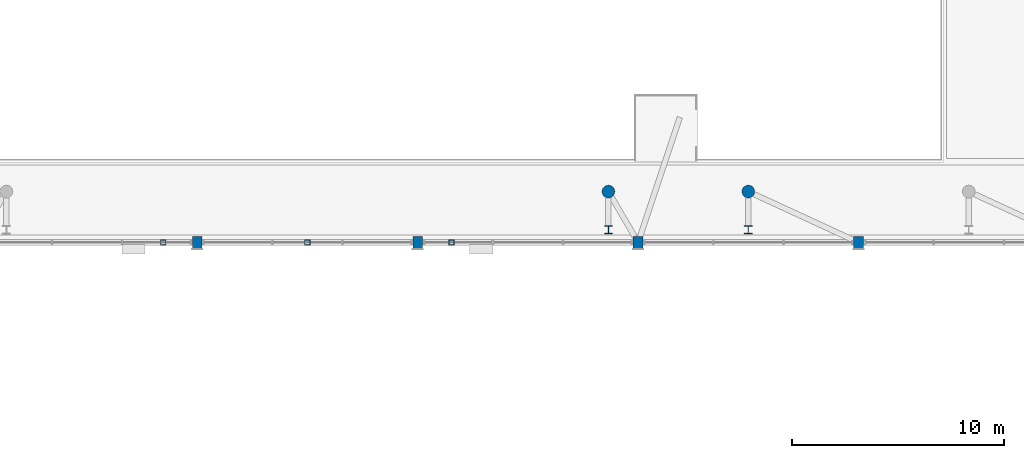
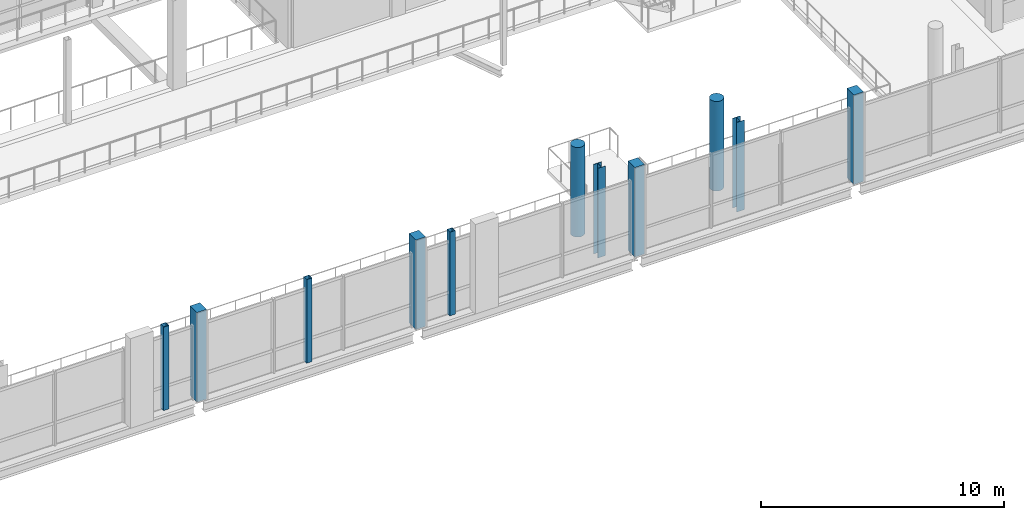
# One storey, part 9 of 95: 11 columns.
"""IFC4 building model written with IfcOpenShell, lengths in metres."""

import ifcopenshell
import ifcopenshell.guid

model = None  # the IFC model being written
_history = None  # IfcOwnerHistory: only IFC2X3 demands one
_inside = {}  # id of a spatial element -> (the spatial element, [elements in it])
_under = {}  # id of a project, library or spatial element -> (it, [spatial elements below it])
_declared = {}  # id of a project -> (the project, [libraries it declares])
_typed = {}  # id of a type object -> (the type object, [elements of that type])
_made_of = {}  # id of a material, layer set ... -> (it, [elements and type objects made of it])


def new_model(schema):
    """Start an empty IFC model of exactly this schema.

    Asked for "IFC4X3", IfcOpenShell would pick the latest addendum, in which some entities
    have other attributes; the version numbers below select the first issue.
    IFC2X3 requires an IfcOwnerHistory on every rooted entity: one is made here for all.
    """
    global model, _history
    if schema == "IFC4X3":
        model = ifcopenshell.file(schema_version=(4, 3, 0, 0))
    else:
        model = ifcopenshell.file(schema=schema)
    _inside.clear()
    _under.clear()
    _declared.clear()
    _typed.clear()
    _made_of.clear()
    _history = None
    if model.schema == "IFC2X3":
        org = make("IfcOrganization", Name="unknown")
        user = make(
            "IfcPersonAndOrganization",
            ThePerson=make("IfcPerson", FamilyName="unknown"),
            TheOrganization=org,
        )
        app = make(
            "IfcApplication",
            ApplicationDeveloper=org,
            Version="unknown",
            ApplicationFullName="unknown",
            ApplicationIdentifier="unknown",
        )
        _history = make(
            "IfcOwnerHistory",
            OwningUser=user,
            OwningApplication=app,
            ChangeAction="ADDED",
            CreationDate=0,
        )
    return model


def make(cls, **values):
    """One entity of the class cls with the attributes given. An attribute that is None is left unset."""
    return model.create_entity(
        cls, **{name: value for name, value in values.items() if value is not None}
    )


def rooted(cls, **values):
    """An entity with a GlobalId (a new one), such as an element, a storey or a relation."""
    return make(cls, GlobalId=ifcopenshell.guid.new(), OwnerHistory=_history, **values)


def si_unit(unit_type, name, prefix=None):
    """IfcSIUnit, for example si_unit("LENGTHUNIT", "METRE", prefix="MILLI")."""
    return make("IfcSIUnit", UnitType=unit_type, Prefix=prefix, Name=name)


def derived_unit(unit_type, elements):
    """IfcDerivedUnit: a product of units, each with its exponent."""
    return make(
        "IfcDerivedUnit",
        Elements=[
            make("IfcDerivedUnitElement", Unit=unit, Exponent=power)
            for unit, power in elements
        ],
        UnitType=unit_type,
    )


def assignment(units):
    """IfcUnitAssignment: the units of a project."""
    return None if units is None else make("IfcUnitAssignment", Units=units)


def point(xyz):
    """IfcCartesianPoint."""
    return None if xyz is None else make("IfcCartesianPoint", Coordinates=xyz)


def direction(xyz):
    """IfcDirection."""
    return None if xyz is None else make("IfcDirection", DirectionRatios=xyz)


def frame(location, z_axis=None, x_axis=None):
    """IfcAxis2Placement3D, a coordinate frame: its origin and axes. An axis left out is left unset."""
    return make(
        "IfcAxis2Placement3D",
        Location=point(location),
        Axis=direction(z_axis),
        RefDirection=direction(x_axis),
    )


def frame_2d(location, x_axis=None):
    """IfcAxis2Placement2D, a coordinate frame in the plane: its origin and x axis."""
    return make(
        "IfcAxis2Placement2D", Location=point(location), RefDirection=direction(x_axis)
    )


def origin():
    """The frame at (0, 0, 0) with its axes left unset."""
    return frame((0.0, 0.0, 0.0))


def origin_2d():
    """The frame at (0, 0) in the plane with its x axis left unset."""
    return frame_2d((0.0, 0.0))


def place(relative_to, where):
    """IfcLocalPlacement: puts the frame where relative to a parent placement (None: the world)."""
    return make(
        "IfcLocalPlacement", PlacementRelTo=relative_to, RelativePlacement=where
    )


def context(
    kind, dimensions, precision=None, world=None, true_north=None, identifier=None
):
    """IfcGeometricRepresentationContext, for example the 3D "Model" context."""
    return make(
        "IfcGeometricRepresentationContext",
        ContextIdentifier=identifier,
        ContextType=kind,
        CoordinateSpaceDimension=dimensions,
        Precision=precision,
        WorldCoordinateSystem=world,
        TrueNorth=true_north,
    )


def subcontext(parent, identifier, kind, view, scale=None):
    """IfcGeometricRepresentationSubContext, for example "Body" below "Model"."""
    return make(
        "IfcGeometricRepresentationSubContext",
        ContextIdentifier=identifier,
        ContextType=kind,
        ParentContext=parent,
        TargetScale=scale,
        TargetView=view,
    )


def project(units=None, contexts=None):
    """IfcProject with its units and contexts."""
    return rooted(
        "IfcProject",
        Name="project",
        RepresentationContexts=contexts,
        UnitsInContext=assignment(units),
    )


def spatial(cls, under=None, at=None, **own):
    """A site, building, storey or space (cls), placed at a placement, below another one or the project."""
    s = rooted(cls, ObjectPlacement=at, **own)
    if under is not None:
        _under.setdefault(under.id(), (under, []))[1].append(s)
    return s


def profile(cls, at=None, kind="AREA", **sizes):
    """A parametric profile (cls). Its sizes go by their IFC names, for example OverallWidth=200.0."""
    return make(cls, ProfileType=kind, Position=at, **sizes)


def rectangle(**sizes):
    """IfcRectangleProfileDef."""
    return profile("IfcRectangleProfileDef", **sizes)


def hollow_rectangle(**sizes):
    """IfcRectangleHollowProfileDef."""
    return profile("IfcRectangleHollowProfileDef", **sizes)


def circle(**sizes):
    """IfcCircleProfileDef."""
    return profile("IfcCircleProfileDef", **sizes)


def i_section(**sizes):
    """IfcIShapeProfileDef."""
    return profile("IfcIShapeProfileDef", **sizes)


def extrude(swept, where, along, depth):
    """IfcExtrudedAreaSolid: the profile swept, set in the frame where, extruded along a direction by depth."""
    return make(
        "IfcExtrudedAreaSolid",
        SweptArea=swept,
        Position=where,
        ExtrudedDirection=direction(along),
        Depth=depth,
    )


def shape(context_of_items, identifier, shape_type, items):
    """IfcShapeRepresentation: the items that make up one representation, for example the "Body"."""
    return make(
        "IfcShapeRepresentation",
        ContextOfItems=context_of_items,
        RepresentationIdentifier=identifier,
        RepresentationType=shape_type,
        Items=items,
    )


def material(Name=None, Category=None):
    """IfcMaterial."""
    return make("IfcMaterial", Name=Name, Category=Category)


def material_profile(
    of_material, cross_section, Name=None, Category=None, Priority=None
):
    """IfcMaterialProfile: a cross section and its material."""
    return make(
        "IfcMaterialProfile",
        Name=Name,
        Material=of_material,
        Profile=cross_section,
        Priority=Priority,
        Category=Category,
    )


def profile_set(profiles, Name=None, composite=None):
    """IfcMaterialProfileSet."""
    return make(
        "IfcMaterialProfileSet",
        Name=Name,
        MaterialProfiles=profiles,
        CompositeProfile=composite,
    )


def made_of(thing, what):
    """Note that an element or type object is made of a material, layer set ...; save() writes the relation."""
    if what is not None:
        _made_of.setdefault(what.id(), (what, []))[1].append(thing)
    return thing


def type_object(cls, material=None, **own):
    """A type object (cls), such as IfcWallType, which elements share."""
    return made_of(rooted(cls, **own), material)


def element(
    cls,
    number,
    at=None,
    inside=None,
    cuts=None,
    type_object=None,
    material=None,
    context=None,
    identifier="Body",
    shape_type=None,
    held_by="IfcProductDefinitionShape",
    body=None,
    shapes=None,
    **own,
):
    """One element of the class cls, such as IfcWall. Its Tag is "e" and its number.

    at: its placement. inside: the storey or other place that contains it. cuts: it is an
    opening in that element (IfcRelVoidsElement). A single representation is given by context,
    identifier, shape_type and body (its items); several are given by shapes. held_by: the class
    of the entity that holds the representations. save() writes the other relations.
    """
    e = rooted(cls, Tag="e%d" % number, ObjectPlacement=at, **own)
    if body is not None:
        shapes = [shape(context, identifier, shape_type, body)]
    if shapes is not None:
        e.Representation = make(held_by, Representations=shapes)
    if inside is not None:
        _inside.setdefault(inside.id(), (inside, []))[1].append(e)
    if cuts is not None:
        rooted(
            "IfcRelVoidsElement", RelatingBuildingElement=cuts, RelatedOpeningElement=e
        )
    if type_object is not None:
        _typed.setdefault(type_object.id(), (type_object, []))[1].append(e)
    return made_of(e, material)


def aggregate(whole, parts):
    """IfcRelAggregates: a whole, such as a stair, and the parts it consists of."""
    return rooted("IfcRelAggregates", RelatingObject=whole, RelatedObjects=parts)


def save(model, path):
    """Write the relations noted so far, then the file.

    IfcRelAggregates (storeys below a building ...), IfcRelContainedInSpatialStructure (elements
    in a storey), IfcRelDefinesByType, IfcRelAssociatesMaterial and IfcRelDeclares: one each for
    every whole, place, type object, material and project.
    """
    for whole, parts in _under.values():
        aggregate(whole, parts)
    for where, things in _inside.values():
        rooted(
            "IfcRelContainedInSpatialStructure",
            RelatedElements=things,
            RelatingStructure=where,
        )
    for kind, things in _typed.values():
        rooted("IfcRelDefinesByType", RelatedObjects=things, RelatingType=kind)
    for what, things in _made_of.values():
        rooted("IfcRelAssociatesMaterial", RelatedObjects=things, RelatingMaterial=what)
    for by, libraries in _declared.values():
        rooted("IfcRelDeclares", RelatingContext=by, RelatedDefinitions=libraries)
    model.write(path)


model = new_model("IFC4")

# Units and contexts
model_context = context("Model", 3, precision=1e-05, world=origin(), true_north=direction((0.0, 1.0)))
body_context = subcontext(model_context, "Body", "Model", "MODEL_VIEW")
ifc_project = project(units=[si_unit("LENGTHUNIT", "METRE"), si_unit("AREAUNIT", "SQUARE_METRE"), si_unit("VOLUMEUNIT", "CUBIC_METRE"), si_unit("PLANEANGLEUNIT", "RADIAN"), si_unit("MASSUNIT", "GRAM", prefix="KILO"), derived_unit("THERMALTRANSMITTANCEUNIT", [(si_unit("POWERUNIT", "WATT"), 1), (si_unit("LENGTHUNIT", "METRE"), -2), (si_unit("THERMODYNAMICTEMPERATUREUNIT", "KELVIN"), -1)])], contexts=[model_context])

# Site, building, storey
site_placement = place(None, origin())
site = spatial("IfcSite", under=ifc_project, at=site_placement, CompositionType="ELEMENT")
building_placement = place(site_placement, origin())
building = spatial("IfcBuilding", under=site, at=building_placement, Name="Braskholm Square Health Centre", CompositionType="ELEMENT")
storey_placement = place(building_placement, frame((0.0, 0.0, 4.800048828125)))
storey = spatial("IfcBuildingStorey", under=building, at=storey_placement, Name="L02", CompositionType="ELEMENT", Elevation=4.800048828125)

# Columns
ifc_material_1 = material(Name="Precast concrete C40/50 architectural white", Category="concrete")
ifc_material_profile_1 = material_profile(ifc_material_1, rectangle(XDim=0.4599609375, YDim=0.56005859375, at=origin_2d()), Name="RC-460X560")
ifc_profile_set_1 = profile_set([ifc_material_profile_1], Name="Precast concrete C40/50 architectural white")
column_type_1 = type_object("IfcColumnType", Name="ColPrecastFrame460x560", PredefinedType="COLUMN", material=ifc_profile_set_1)
for number, where, z_axis, x_axis, name in (
    (1, (78.800048828125, 87.199951171875, 0.0), (0.0, 0.0, 1.0), (1.0, 0.0, 0.0), "Column 11/N L02"),
    (2, (89.199951171875, 87.199951171875, 0.0), (0.0, 0.0, 1.0), (1.0, 0.0, 0.0), "Column 12/N L02"),
    (3, (99.60009765625, 87.199951171875, 0.0), (0.0, 0.0, 1.0), (1.0, 0.0, 0.0), "Column 13/N L02"),
    (4, (110.0, 87.199951171875, 0.0), (0.0, 0.0, 1.0), (1.0, 0.0, 0.0), "Column 14/N L02"),
):
    element("IfcColumn", number, at=place(storey_placement, frame(where, z_axis=z_axis, x_axis=x_axis)), inside=storey, type_object=column_type_1, Name=name, PredefinedType="COLUMN", context=body_context, shape_type="SweptSolid", body=[
        extrude(rectangle(XDim=0.4599609375, YDim=0.56005859375, at=origin_2d()), origin(), (0.0, 0.0, 1.0), 4.5),
    ])
ifc_material_2 = material(Name="Concrete C40/50 (f'c = 40 MPa)", Category="concrete")
ifc_material_profile_2 = material_profile(ifc_material_2, circle(Radius=0.300048828125, at=origin_2d()), Name="RC-RND-600")
ifc_profile_set_2 = profile_set([ifc_material_profile_2], Name="Concrete C40/50 (f'c = 40 MPa)")
column_type_2 = type_object("IfcColumnType", Name="ColRoundConcourse600", PredefinedType="COLUMN", material=ifc_profile_set_2)
for number, where, z_axis, x_axis, name in (
    (5, (98.199951171875, 89.60009765625, 0.0), (0.0, 0.0, 1.0), (1.0, 0.0, 0.0), "Column RC04 L02"),
    (6, (104.800048828125, 89.60009765625, 0.0), (0.0, 0.0, 1.0), (1.0, 0.0, 0.0), "Column RC05 L02"),
):
    element("IfcColumn", number, at=place(storey_placement, frame(where, z_axis=z_axis, x_axis=x_axis)), inside=storey, type_object=column_type_2, Name=name, PredefinedType="COLUMN", context=body_context, shape_type="SweptSolid", body=[
        extrude(circle(Radius=0.300048828125, at=origin_2d()), origin(), (0.0, 0.0, 1.0), 4.5),
    ])
ifc_material_3 = material(Name="Steel ASTM A500 Grade C", Category="steel")
ifc_material_profile_3 = material_profile(ifc_material_3, hollow_rectangle(XDim=0.25390625, YDim=0.25390625, WallThickness=0.01171875, at=origin_2d()), Name="HSS10X10X1/2")
ifc_profile_set_3 = profile_set([ifc_material_profile_3], Name="Steel ASTM A500 Grade C")
column_type_3 = type_object("IfcColumnType", Name="ColSteelCanopyHSS10", PredefinedType="COLUMN", material=ifc_profile_set_3)
for number, where, z_axis, x_axis, name in (
    (7, (77.199951171875, 87.199951171875, 0.0), (0.0, 0.0, 1.0), (1.0, 0.0, 0.0), "Column CS2A L02"),
    (8, (84.0, 87.199951171875, 0.0), (0.0, 0.0, 1.0), (1.0, 0.0, 0.0), "Column CS2B L02"),
    (9, (90.800048828125, 87.199951171875, 0.0), (0.0, 0.0, 1.0), (1.0, 0.0, 0.0), "Column CS2C L02"),
):
    element("IfcColumn", number, at=place(storey_placement, frame(where, z_axis=z_axis, x_axis=x_axis)), inside=storey, type_object=column_type_3, Name=name, PredefinedType="COLUMN", context=body_context, shape_type="SweptSolid", body=[
        extrude(hollow_rectangle(XDim=0.25390625, YDim=0.25390625, WallThickness=0.01171875, at=origin_2d()), origin(), (0.0, 0.0, 1.0), 4.199951171875),
    ])
ifc_material_4 = material(Name="Steel ASTM A992 Grade 50", Category="steel")
ifc_material_profile_4 = material_profile(ifc_material_4, i_section(OverallWidth=0.368896484375, OverallDepth=0.35595703125, WebThickness=0.01123046875, FlangeThickness=0.01806640625, at=origin_2d()), Name="W14X90")
ifc_profile_set_4 = profile_set([ifc_material_profile_4], Name="Steel ASTM A992 Grade 50")
column_type_4 = type_object("IfcColumnType", Name="ColSteelHallW14X90", PredefinedType="COLUMN", material=ifc_profile_set_4)
for number, where, z_axis, x_axis, name in (
    (10, (98.199951171875, 87.800048828125, 0.0), (0.0, 0.0, 1.0), (1.0, 0.0, 0.0), "Column CS1D L02"),
    (11, (104.800048828125, 87.800048828125, 0.0), (0.0, 0.0, 1.0), (1.0, 0.0, 0.0), "Column CS1E L02"),
):
    element("IfcColumn", number, at=place(storey_placement, frame(where, z_axis=z_axis, x_axis=x_axis)), inside=storey, type_object=column_type_4, Name=name, PredefinedType="COLUMN", context=body_context, shape_type="SweptSolid", body=[
        extrude(i_section(OverallWidth=0.368896484375, OverallDepth=0.35595703125, WebThickness=0.01123046875, FlangeThickness=0.01806640625, at=origin_2d()), origin(), (0.0, 0.0, 1.0), 4.5),
    ])

save(model, "model.ifc")
